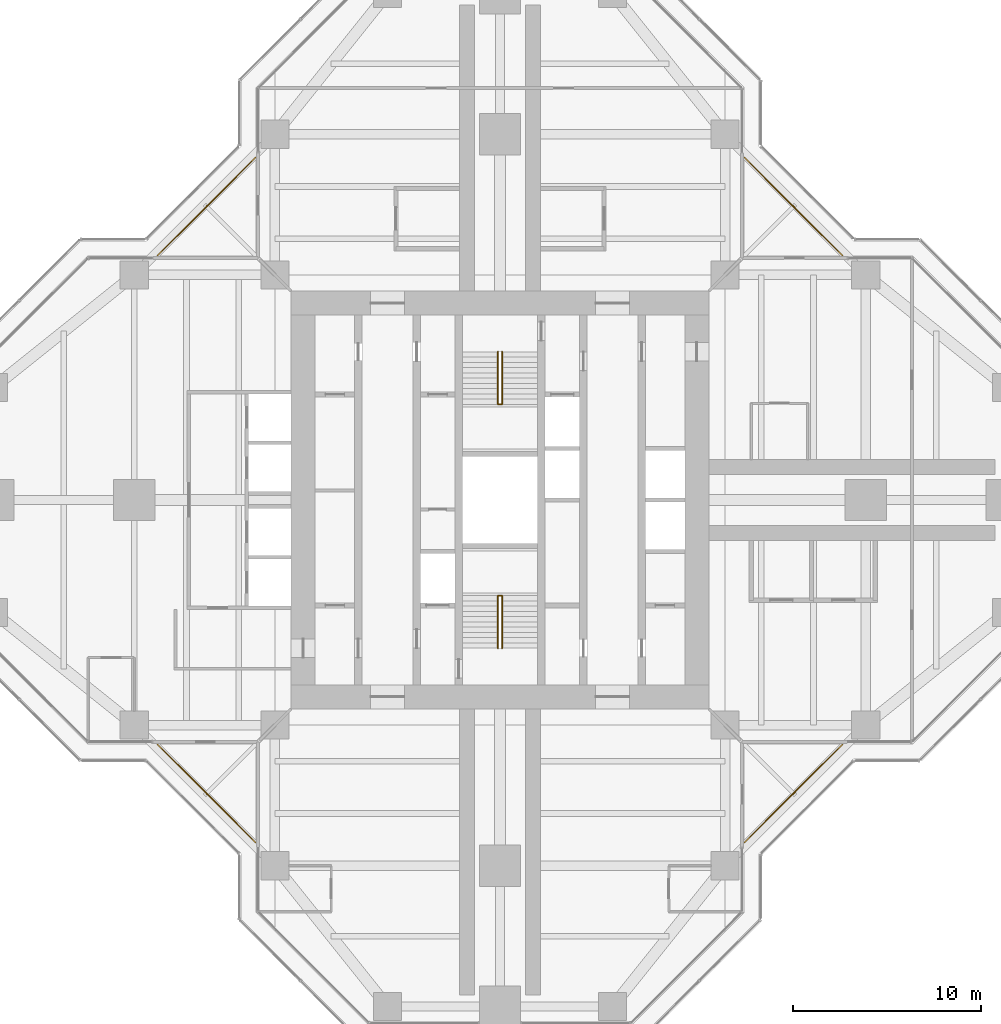
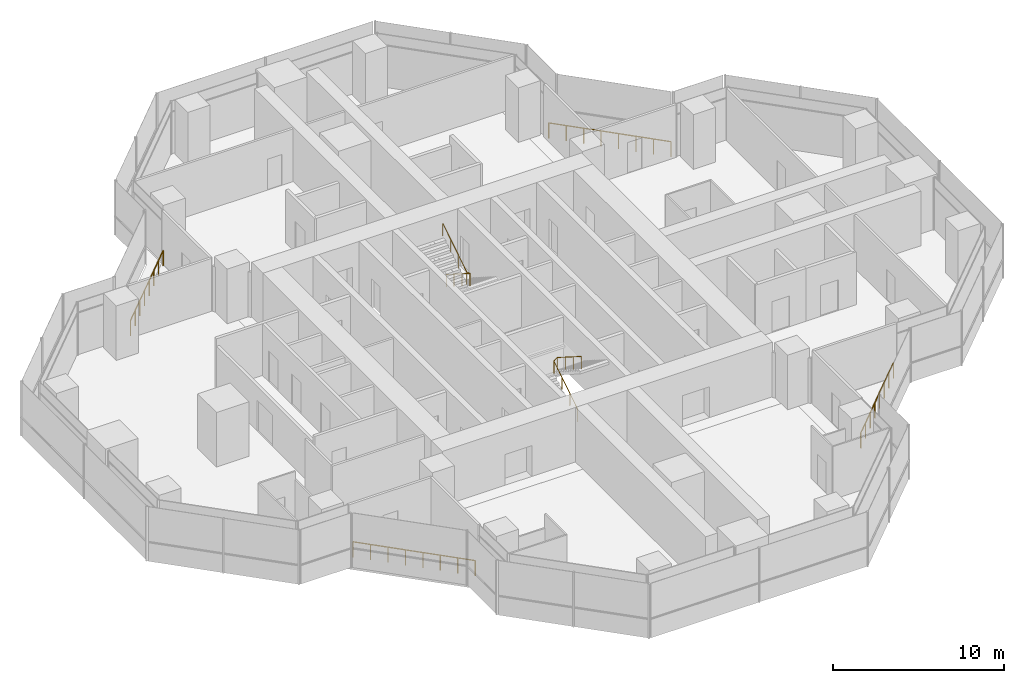
# One storey, part 17 of 17: 6 railings.
"""IFC4 building model written with IfcOpenShell, lengths in metres."""

from ifc_helpers import new_model, si_unit, direction, frame, origin, origin_2d, place, context, subcontext, project, spatial, circle, extrude, material, type_object, element, save


model = new_model("IFC4")

# Units and contexts
model_context = context("Model", 3, precision=1e-05, world=origin(), true_north=direction((0.0, 1.0)))
body_context = subcontext(model_context, "Body", "Model", "MODEL_VIEW")
ifc_project = project(units=[si_unit("LENGTHUNIT", "METRE"), si_unit("AREAUNIT", "SQUARE_METRE"), si_unit("VOLUMEUNIT", "CUBIC_METRE"), si_unit("PLANEANGLEUNIT", "RADIAN"), si_unit("MASSUNIT", "GRAM", prefix="KILO")], contexts=[model_context])

# Site, building, storey
site_placement = place(None, origin())
site = spatial("IfcSite", under=ifc_project, at=site_placement, CompositionType="ELEMENT")
building_placement = place(site_placement, origin())
building = spatial("IfcBuilding", under=site, at=building_placement, Name="Mizan Broadcast Tower", CompositionType="ELEMENT")
storey_placement = place(building_placement, frame((0.0, 0.0, 236.10009765625)))
storey = spatial("IfcBuildingStorey", under=building, at=storey_placement, Name="L55", CompositionType="ELEMENT", Elevation=236.10009765625)

# Railings
ifc_material_1 = material(Name="Stainless steel and glass guard", Category="steel")
railing_type_1 = type_object("IfcRailingType", Name="GUARD 1100", PredefinedType="GUARDRAIL", material=ifc_material_1)
railing_1_placement = place(storey_placement, frame((18.2578125, 13.030029296875, 0.0)))
element("IfcRailing", 1, at=railing_1_placement, inside=storey, type_object=railing_type_1, Name="Winter garden guard L55 E", PredefinedType="GUARDRAIL", context=body_context, shape_type="SweptSolid", body=[
    extrude(circle(Radius=0.02392578125, at=origin_2d()), frame((0.0, 0.0, 1.076171875), z_axis=(-0.707106781187, 0.707106781187, 0.0), x_axis=(-0.707106781187, -0.707106781187, 0.0)), (0.0, 0.0, 1.0), 7.393310546875),
    extrude(circle(Radius=0.02099609375, at=origin_2d()), origin(), (0.0, 0.0, 1.0), 1.052001953125),
    extrude(circle(Radius=0.02099609375, at=origin_2d()), frame((-0.746826171875, 0.746826171875, 0.0)), (0.0, 0.0, 1.0), 1.052001953125),
    extrude(circle(Radius=0.02099609375, at=origin_2d()), frame((-1.49365234375, 1.49365234375, 0.0)), (0.0, 0.0, 1.0), 1.052001953125),
    extrude(circle(Radius=0.02099609375, at=origin_2d()), frame((-2.240478515625, 2.240478515625, 0.0)), (0.0, 0.0, 1.0), 1.052001953125),
    extrude(circle(Radius=0.02099609375, at=origin_2d()), frame((-2.9873046875, 2.9873046875, 0.0)), (0.0, 0.0, 1.0), 1.052001953125),
    extrude(circle(Radius=0.02099609375, at=origin_2d()), frame((-3.734130859375, 3.734130859375, 0.0)), (0.0, 0.0, 1.0), 1.052001953125),
    extrude(circle(Radius=0.02099609375, at=origin_2d()), frame((-4.48095703125, 4.48095703125, 0.0)), (0.0, 0.0, 1.0), 1.052001953125),
    extrude(circle(Radius=0.02099609375, at=origin_2d()), frame((-5.227783203125, 5.227783203125, 0.0)), (0.0, 0.0, 1.0), 1.052001953125),
])
railing_2_placement = place(storey_placement, frame((-13.030029296875, 18.2578125, 0.0)))
element("IfcRailing", 2, at=railing_2_placement, inside=storey, type_object=railing_type_1, Name="Winter garden guard L55 N", PredefinedType="GUARDRAIL", context=body_context, shape_type="SweptSolid", body=[
    extrude(circle(Radius=0.02392578125, at=origin_2d()), frame((0.0, 0.0, 1.076171875), z_axis=(-0.707106781187, -0.707106781187, 0.0), x_axis=(0.707106781187, -0.707106781187, 0.0)), (0.0, 0.0, 1.0), 7.393310546875),
    extrude(circle(Radius=0.02099609375, at=origin_2d()), origin(), (0.0, 0.0, 1.0), 1.052001953125),
    extrude(circle(Radius=0.02099609375, at=origin_2d()), frame((-0.746826171875, -0.746826171875, 0.0)), (0.0, 0.0, 1.0), 1.052001953125),
    extrude(circle(Radius=0.02099609375, at=origin_2d()), frame((-1.49365234375, -1.49365234375, 0.0)), (0.0, 0.0, 1.0), 1.052001953125),
    extrude(circle(Radius=0.02099609375, at=origin_2d()), frame((-2.240478515625, -2.240478515625, 0.0)), (0.0, 0.0, 1.0), 1.052001953125),
    extrude(circle(Radius=0.02099609375, at=origin_2d()), frame((-2.9873046875, -2.9873046875, 0.0)), (0.0, 0.0, 1.0), 1.052001953125),
    extrude(circle(Radius=0.02099609375, at=origin_2d()), frame((-3.734130859375, -3.734130859375, 0.0)), (0.0, 0.0, 1.0), 1.052001953125),
    extrude(circle(Radius=0.02099609375, at=origin_2d()), frame((-4.48095703125, -4.48095703125, 0.0)), (0.0, 0.0, 1.0), 1.052001953125),
    extrude(circle(Radius=0.02099609375, at=origin_2d()), frame((-5.227783203125, -5.227783203125, 0.0)), (0.0, 0.0, 1.0), 1.052001953125),
])
railing_3_placement = place(storey_placement, frame((-18.2578125, -13.030029296875, 0.0)))
element("IfcRailing", 3, at=railing_3_placement, inside=storey, type_object=railing_type_1, Name="Winter garden guard L55 W", PredefinedType="GUARDRAIL", context=body_context, shape_type="SweptSolid", body=[
    extrude(circle(Radius=0.02392578125, at=origin_2d()), frame((0.0, 0.0, 1.076171875), z_axis=(0.707106781187, -0.707106781187, 0.0), x_axis=(0.707106781187, 0.707106781187, 0.0)), (0.0, 0.0, 1.0), 7.393310546875),
    extrude(circle(Radius=0.02099609375, at=origin_2d()), origin(), (0.0, 0.0, 1.0), 1.052001953125),
    extrude(circle(Radius=0.02099609375, at=origin_2d()), frame((0.746826171875, -0.746826171875, 0.0)), (0.0, 0.0, 1.0), 1.052001953125),
    extrude(circle(Radius=0.02099609375, at=origin_2d()), frame((1.49365234375, -1.49365234375, 0.0)), (0.0, 0.0, 1.0), 1.052001953125),
    extrude(circle(Radius=0.02099609375, at=origin_2d()), frame((2.240478515625, -2.240478515625, 0.0)), (0.0, 0.0, 1.0), 1.052001953125),
    extrude(circle(Radius=0.02099609375, at=origin_2d()), frame((2.9873046875, -2.9873046875, 0.0)), (0.0, 0.0, 1.0), 1.052001953125),
    extrude(circle(Radius=0.02099609375, at=origin_2d()), frame((3.734130859375, -3.734130859375, 0.0)), (0.0, 0.0, 1.0), 1.052001953125),
    extrude(circle(Radius=0.02099609375, at=origin_2d()), frame((4.48095703125, -4.48095703125, 0.0)), (0.0, 0.0, 1.0), 1.052001953125),
    extrude(circle(Radius=0.02099609375, at=origin_2d()), frame((5.227783203125, -5.227783203125, 0.0)), (0.0, 0.0, 1.0), 1.052001953125),
])
railing_4_placement = place(storey_placement, frame((13.030029296875, -18.2578125, 0.0)))
element("IfcRailing", 4, at=railing_4_placement, inside=storey, type_object=railing_type_1, Name="Winter garden guard L55 S", PredefinedType="GUARDRAIL", context=body_context, shape_type="SweptSolid", body=[
    extrude(circle(Radius=0.02392578125, at=origin_2d()), frame((0.0, 0.0, 1.076171875), z_axis=(0.707106781187, 0.707106781187, 0.0), x_axis=(-0.707106781187, 0.707106781187, 0.0)), (0.0, 0.0, 1.0), 7.393310546875),
    extrude(circle(Radius=0.02099609375, at=origin_2d()), origin(), (0.0, 0.0, 1.0), 1.052001953125),
    extrude(circle(Radius=0.02099609375, at=origin_2d()), frame((0.746826171875, 0.746826171875, 0.0)), (0.0, 0.0, 1.0), 1.052001953125),
    extrude(circle(Radius=0.02099609375, at=origin_2d()), frame((1.49365234375, 1.49365234375, 0.0)), (0.0, 0.0, 1.0), 1.052001953125),
    extrude(circle(Radius=0.02099609375, at=origin_2d()), frame((2.240478515625, 2.240478515625, 0.0)), (0.0, 0.0, 1.0), 1.052001953125),
    extrude(circle(Radius=0.02099609375, at=origin_2d()), frame((2.9873046875, 2.9873046875, 0.0)), (0.0, 0.0, 1.0), 1.052001953125),
    extrude(circle(Radius=0.02099609375, at=origin_2d()), frame((3.734130859375, 3.734130859375, 0.0)), (0.0, 0.0, 1.0), 1.052001953125),
    extrude(circle(Radius=0.02099609375, at=origin_2d()), frame((4.48095703125, 4.48095703125, 0.0)), (0.0, 0.0, 1.0), 1.052001953125),
    extrude(circle(Radius=0.02099609375, at=origin_2d()), frame((5.227783203125, 5.227783203125, 0.0)), (0.0, 0.0, 1.0), 1.052001953125),
])
ifc_material_2 = material(Name="Stainless steel", Category="steel")
railing_type_2 = type_object("IfcRailingType", Name="HANDRAIL 50", PredefinedType="HANDRAIL", material=ifc_material_2)
railing_5_placement = place(storey_placement, frame((-0.110107421875, -7.89990234375, 0.17724609375)))
element("IfcRailing", 5, at=railing_5_placement, inside=storey, type_object=railing_type_2, Name="Stair A handrail", PredefinedType="HANDRAIL", context=body_context, shape_type="SweptSolid", body=[
    extrude(circle(Radius=0.02392578125, at=origin_2d()), frame((0.0, 0.0, 0.8759765625), z_axis=(0.0, 0.844887892834, 0.53494340686), x_axis=(-1.0, 0.0, 0.0)), (0.0, 0.0, 1.0), 3.313720703125),
    extrude(circle(Radius=0.02392578125, at=origin_2d()), frame((0.0, 2.7998046875, 2.6484375), z_axis=(0.779011685263, 0.0, 0.627009405212), x_axis=(0.0, 1.0, 0.0)), (0.0, 0.0, 1.0), 0.28271484375),
    extrude(circle(Radius=0.02392578125, at=origin_2d()), frame((0.22021484375, 2.7998046875, 2.82568359375), z_axis=(0.0, -0.844887892834, 0.53494340686), x_axis=(1.0, 0.0, 0.0)), (0.0, 0.0, 1.0), 3.313720703125),
    extrude(circle(Radius=0.02099609375, at=origin_2d()), origin(), (0.0, 0.0, 1.0), 0.851806640625),
    extrude(circle(Radius=0.02099609375, at=origin_2d()), frame((0.0, 0.933349609375, 0.5908203125)), (0.0, 0.0, 1.0), 0.851806640625),
    extrude(circle(Radius=0.02099609375, at=origin_2d()), frame((0.0, 1.866455078125, 1.181884765625)), (0.0, 0.0, 1.0), 0.851806640625),
    extrude(circle(Radius=0.02099609375, at=origin_2d()), frame((0.0, 2.7998046875, 1.772705078125)), (0.0, 0.0, 1.0), 0.851806640625),
    extrude(circle(Radius=0.02099609375, at=origin_2d()), frame((0.22021484375, 2.7998046875, 1.949951171875)), (0.0, 0.0, 1.0), 0.851806640625),
    extrude(circle(Radius=0.02099609375, at=origin_2d()), frame((0.22021484375, 1.866455078125, 2.540771484375)), (0.0, 0.0, 1.0), 0.851806640625),
    extrude(circle(Radius=0.02099609375, at=origin_2d()), frame((0.22021484375, 0.933349609375, 3.1318359375)), (0.0, 0.0, 1.0), 0.851806640625),
    extrude(circle(Radius=0.02099609375, at=origin_2d()), frame((0.22021484375, 0.0, 3.72265625)), (0.0, 0.0, 1.0), 0.851806640625),
])
railing_6_placement = place(storey_placement, frame((0.110107421875, 7.89990234375, 0.17724609375)))
element("IfcRailing", 6, at=railing_6_placement, inside=storey, type_object=railing_type_2, Name="Stair B handrail", PredefinedType="HANDRAIL", context=body_context, shape_type="SweptSolid", body=[
    extrude(circle(Radius=0.02392578125, at=origin_2d()), frame((0.0, 0.0, 0.8759765625), z_axis=(0.0, -0.844887892834, 0.53494340686), x_axis=(1.0, 0.0, 0.0)), (0.0, 0.0, 1.0), 3.313720703125),
    extrude(circle(Radius=0.02392578125, at=origin_2d()), frame((0.0, -2.7998046875, 2.6484375), z_axis=(-0.779011685263, 0.0, 0.627009405212), x_axis=(0.0, -1.0, 0.0)), (0.0, 0.0, 1.0), 0.28271484375),
    extrude(circle(Radius=0.02392578125, at=origin_2d()), frame((-0.22021484375, -2.7998046875, 2.82568359375), z_axis=(0.0, 0.844887892834, 0.53494340686), x_axis=(-1.0, 0.0, 0.0)), (0.0, 0.0, 1.0), 3.313720703125),
    extrude(circle(Radius=0.02099609375, at=origin_2d()), origin(), (0.0, 0.0, 1.0), 0.851806640625),
    extrude(circle(Radius=0.02099609375, at=origin_2d()), frame((0.0, -0.933349609375, 0.5908203125)), (0.0, 0.0, 1.0), 0.851806640625),
    extrude(circle(Radius=0.02099609375, at=origin_2d()), frame((0.0, -1.866455078125, 1.181884765625)), (0.0, 0.0, 1.0), 0.851806640625),
    extrude(circle(Radius=0.02099609375, at=origin_2d()), frame((0.0, -2.7998046875, 1.772705078125)), (0.0, 0.0, 1.0), 0.851806640625),
    extrude(circle(Radius=0.02099609375, at=origin_2d()), frame((-0.22021484375, -2.7998046875, 1.949951171875)), (0.0, 0.0, 1.0), 0.851806640625),
    extrude(circle(Radius=0.02099609375, at=origin_2d()), frame((-0.22021484375, -1.866455078125, 2.540771484375)), (0.0, 0.0, 1.0), 0.851806640625),
    extrude(circle(Radius=0.02099609375, at=origin_2d()), frame((-0.22021484375, -0.933349609375, 3.1318359375)), (0.0, 0.0, 1.0), 0.851806640625),
    extrude(circle(Radius=0.02099609375, at=origin_2d()), frame((-0.22021484375, 0.0, 3.72265625)), (0.0, 0.0, 1.0), 0.851806640625),
])

save(model, "model.ifc")
